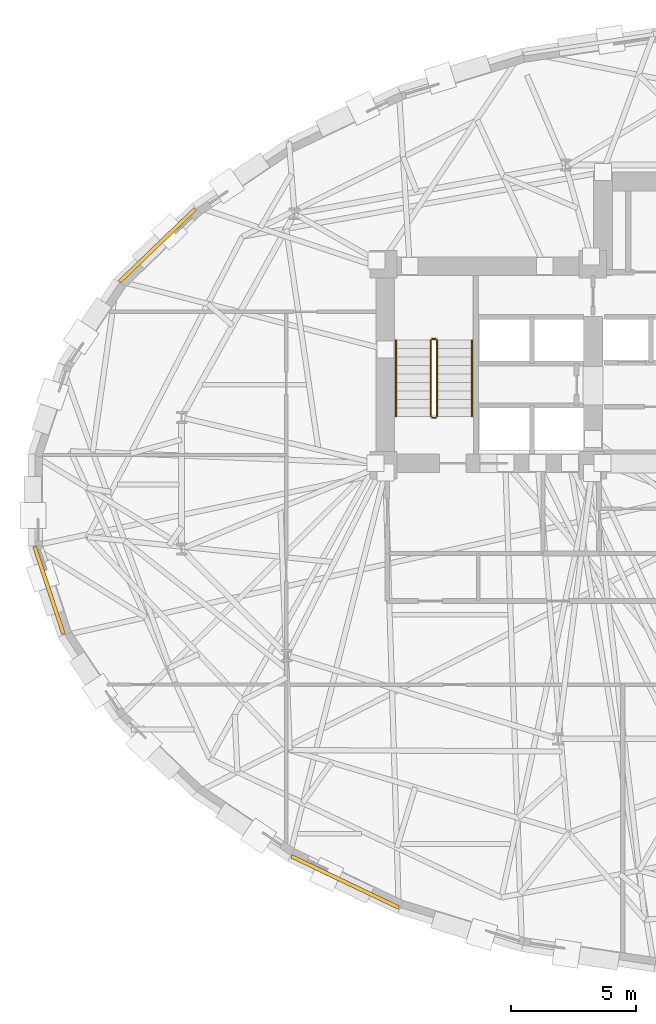
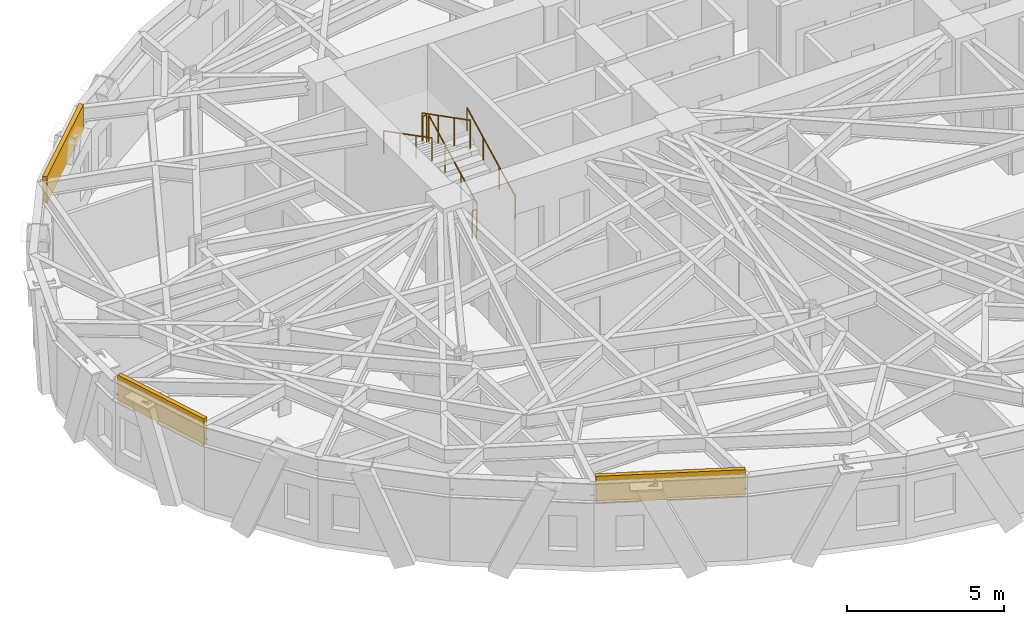
# One storey, part 11 of 14: 6 railings, 3 coverings.
"""IFC4 building model written with IfcOpenShell, lengths in metres."""

from ifc_helpers import new_model, si_unit, direction, frame, origin, origin_2d, place, context, subcontext, project, spatial, rectangle, circle, extrude, material, layer, layer_set, type_object, element, save


model = new_model("IFC4")

# Units and contexts
model_context = context("Model", 3, precision=1e-05, world=origin(), true_north=direction((0.0, 1.0)))
body_context = subcontext(model_context, "Body", "Model", "MODEL_VIEW")
ifc_project = project(units=[si_unit("LENGTHUNIT", "METRE"), si_unit("AREAUNIT", "SQUARE_METRE"), si_unit("VOLUMEUNIT", "CUBIC_METRE"), si_unit("PLANEANGLEUNIT", "RADIAN"), si_unit("MASSUNIT", "GRAM", prefix="KILO")], contexts=[model_context])

# Site, building, storey
site_placement = place(None, origin())
site = spatial("IfcSite", under=ifc_project, at=site_placement, CompositionType="ELEMENT")
building_placement = place(site_placement, origin())
building = spatial("IfcBuilding", under=site, at=building_placement, Name="Keldmark Tower", CompositionType="ELEMENT")
storey_placement = place(building_placement, frame((0.0, 0.0, 107.10009765625)))
storey = spatial("IfcBuildingStorey", under=building, at=storey_placement, Name="L28", CompositionType="ELEMENT", Elevation=107.10009765625)

# Coverings
ifc_material_1 = material(Name="Honed Kasota Buff Dolomitic Limestone", Category="masonry")
ifc_layer = layer(ifc_material_1, 0.074951171875)
ifc_layer_set = layer_set([ifc_layer], Name="Honed Kasota Buff Dolomitic Limestone")
covering_type = type_object("IfcCoveringType", Name="Kasota Buff Limestone Spandrel Cladding Band", PredefinedType="CLADDING", material=ifc_layer_set)
covering_1_placement = place(storey_placement, frame((-22.6650390625, 10.21630859375, 2.45166015625), z_axis=(0.0, 0.0, 1.0), x_axis=(-0.720587417127, -0.693364099357, 0.0)))
element("IfcCovering", 1, at=covering_1_placement, inside=storey, type_object=covering_type, Name="L28 Kasota Limestone Spandrel Band 13", PredefinedType="CLADDING", context=body_context, shape_type="SweptSolid", body=[
    extrude(rectangle(XDim=4.186767578125, YDim=0.14990234375, at=origin_2d()), origin(), (0.0, 0.0, 1.0), 1.028076171875),
])
covering_2_placement = place(storey_placement, frame((-27.0146484375, -3.617919921875, 2.45166015625), z_axis=(0.0, 0.0, 1.0), x_axis=(0.314290711278, -0.949326787152, 0.0)))
element("IfcCovering", 2, at=covering_2_placement, inside=storey, type_object=covering_type, Name="L28 Kasota Limestone Spandrel Band 17", PredefinedType="CLADDING", context=body_context, shape_type="SweptSolid", body=[
    extrude(rectangle(XDim=3.67578125, YDim=0.14990234375, at=origin_2d()), origin(), (0.0, 0.0, 1.0), 1.028076171875),
])
covering_3_placement = place(storey_placement, frame((-15.139892578125, -15.31689453125, 2.45166015625), z_axis=(0.0, 0.0, 1.0), x_axis=(0.902367267498, -0.430967881109, 0.0)))
element("IfcCovering", 3, at=covering_3_placement, inside=storey, type_object=covering_type, Name="L28 Kasota Limestone Spandrel Band 21", PredefinedType="CLADDING", context=body_context, shape_type="SweptSolid", body=[
    extrude(rectangle(XDim=4.76171875, YDim=0.14990234375, at=origin_2d()), origin(), (0.0, 0.0, 1.0), 1.028076171875),
])

# Railings
ifc_material_2 = material(Name="Painted Steel ASTM A500 Grade B", Category="steel")
railing_type_1 = type_object("IfcRailingType", Name="Painted Steel Stair Well Guard 1100 mm", PredefinedType="GUARDRAIL", material=ifc_material_2)
railing_1_placement = place(storey_placement, frame((-11.449951171875, 3.35009765625, 0.1748046875)))
element("IfcRailing", 4, at=railing_1_placement, inside=storey, type_object=railing_type_1, Name="L28 ST1 stair guard 1", PredefinedType="GUARDRAIL", context=body_context, shape_type="SweptSolid", body=[
    extrude(circle(Radius=0.02392578125, at=origin_2d()), frame((0.0, 0.0, 1.076171875), z_axis=(0.0, 0.889101422983, 0.457710235465), x_axis=(-1.0, 0.0, 0.0)), (0.0, 0.0, 1.0), 3.44140625),
    extrude(circle(Radius=0.02099609375, at=origin_2d()), origin(), (0.0, 0.0, 1.0), 1.052001953125),
    extrude(circle(Radius=0.02099609375, at=origin_2d()), frame((0.0, 1.02001953125, 0.525146484375)), (0.0, 0.0, 1.0), 1.052001953125),
    extrude(circle(Radius=0.02099609375, at=origin_2d()), frame((0.0, 2.039794921875, 1.050048828125)), (0.0, 0.0, 1.0), 1.052001953125),
    extrude(circle(Radius=0.02099609375, at=origin_2d()), frame((0.0, 3.059814453125, 1.5751953125)), (0.0, 0.0, 1.0), 1.052001953125),
])
railing_2_placement = place(storey_placement, frame((-11.5, 6.4599609375, 1.75)))
element("IfcRailing", 5, at=railing_2_placement, inside=storey, type_object=railing_type_1, Name="L28 ST1 stair guard 2", PredefinedType="GUARDRAIL", context=body_context, shape_type="SweptSolid", body=[
    extrude(circle(Radius=0.02392578125, at=origin_2d()), frame((0.0, 0.0, 1.076171875), z_axis=(-1.0, 0.0, 0.0), x_axis=(0.0, -1.0, 0.0)), (0.0, 0.0, 1.0), 0.14990234375),
    extrude(circle(Radius=0.02099609375, at=origin_2d()), origin(), (0.0, 0.0, 1.0), 1.052001953125),
    extrude(circle(Radius=0.02099609375, at=origin_2d()), frame((-0.14990234375, 0.0, 0.0)), (0.0, 0.0, 1.0), 1.052001953125),
])
railing_3_placement = place(storey_placement, frame((-11.699951171875, 6.409912109375, 1.9248046875)))
element("IfcRailing", 6, at=railing_3_placement, inside=storey, type_object=railing_type_1, Name="L28 ST1 stair guard 3", PredefinedType="GUARDRAIL", context=body_context, shape_type="SweptSolid", body=[
    extrude(circle(Radius=0.02392578125, at=origin_2d()), frame((0.0, 0.0, 1.076171875), z_axis=(0.0, -0.889101422983, 0.457710235465), x_axis=(1.0, 0.0, 0.0)), (0.0, 0.0, 1.0), 3.44140625),
    extrude(circle(Radius=0.02099609375, at=origin_2d()), origin(), (0.0, 0.0, 1.0), 1.052001953125),
    extrude(circle(Radius=0.02099609375, at=origin_2d()), frame((0.0, -1.02001953125, 0.525146484375)), (0.0, 0.0, 1.0), 1.052001953125),
    extrude(circle(Radius=0.02099609375, at=origin_2d()), frame((0.0, -2.039794921875, 1.050048828125)), (0.0, 0.0, 1.0), 1.052001953125),
    extrude(circle(Radius=0.02099609375, at=origin_2d()), frame((0.0, -3.059814453125, 1.5751953125)), (0.0, 0.0, 1.0), 1.052001953125),
])
railing_4_placement = place(storey_placement, frame((-11.5, 3.300048828125, 0.0)))
element("IfcRailing", 7, at=railing_4_placement, inside=storey, type_object=railing_type_1, Name="L28 ST1 stair guard 4", PredefinedType="GUARDRAIL", context=body_context, shape_type="SweptSolid", body=[
    extrude(circle(Radius=0.02392578125, at=origin_2d()), frame((0.0, 0.0, 1.076171875), z_axis=(-1.0, 0.0, 0.0), x_axis=(0.0, -1.0, 0.0)), (0.0, 0.0, 1.0), 0.14990234375),
    extrude(circle(Radius=0.02099609375, at=origin_2d()), origin(), (0.0, 0.0, 1.0), 1.052001953125),
    extrude(circle(Radius=0.02099609375, at=origin_2d()), frame((-0.14990234375, 0.0, 0.0)), (0.0, 0.0, 1.0), 1.052001953125),
])
ifc_material_3 = material(Name="Stainless Steel AISI 316L", Category="steel")
railing_type_2 = type_object("IfcRailingType", Name="Stainless Steel Stair Handrail 900 mm", PredefinedType="HANDRAIL", material=ifc_material_3)
railing_5_placement = place(storey_placement, frame((-10.050048828125, 3.35009765625, 0.1748046875)))
element("IfcRailing", 8, at=railing_5_placement, inside=storey, type_object=railing_type_2, Name="L28 ST1 stair handrail 1", PredefinedType="HANDRAIL", context=body_context, shape_type="SweptSolid", body=[
    extrude(circle(Radius=0.02392578125, at=origin_2d()), frame((0.0, 0.0, 0.8759765625), z_axis=(0.0, 0.889101422983, 0.457710235465), x_axis=(-1.0, 0.0, 0.0)), (0.0, 0.0, 1.0), 3.44140625),
    extrude(circle(Radius=0.02099609375, at=origin_2d()), origin(), (0.0, 0.0, 1.0), 0.851806640625),
    extrude(circle(Radius=0.02099609375, at=origin_2d()), frame((0.0, 1.02001953125, 0.525146484375)), (0.0, 0.0, 1.0), 0.851806640625),
    extrude(circle(Radius=0.02099609375, at=origin_2d()), frame((0.0, 2.039794921875, 1.050048828125)), (0.0, 0.0, 1.0), 0.851806640625),
    extrude(circle(Radius=0.02099609375, at=origin_2d()), frame((0.0, 3.059814453125, 1.5751953125)), (0.0, 0.0, 1.0), 0.851806640625),
])
railing_6_placement = place(storey_placement, frame((-13.10009765625, 6.409912109375, 1.9248046875)))
element("IfcRailing", 9, at=railing_6_placement, inside=storey, type_object=railing_type_2, Name="L28 ST1 stair handrail 2", PredefinedType="HANDRAIL", context=body_context, shape_type="SweptSolid", body=[
    extrude(circle(Radius=0.02392578125, at=origin_2d()), frame((0.0, 0.0, 0.8759765625), z_axis=(0.0, -0.889101422983, 0.457710235465), x_axis=(1.0, 0.0, 0.0)), (0.0, 0.0, 1.0), 3.44140625),
    extrude(circle(Radius=0.02099609375, at=origin_2d()), origin(), (0.0, 0.0, 1.0), 0.851806640625),
    extrude(circle(Radius=0.02099609375, at=origin_2d()), frame((0.0, -1.02001953125, 0.525146484375)), (0.0, 0.0, 1.0), 0.851806640625),
    extrude(circle(Radius=0.02099609375, at=origin_2d()), frame((0.0, -2.039794921875, 1.050048828125)), (0.0, 0.0, 1.0), 0.851806640625),
    extrude(circle(Radius=0.02099609375, at=origin_2d()), frame((0.0, -3.059814453125, 1.5751953125)), (0.0, 0.0, 1.0), 0.851806640625),
])

save(model, "model.ifc")
